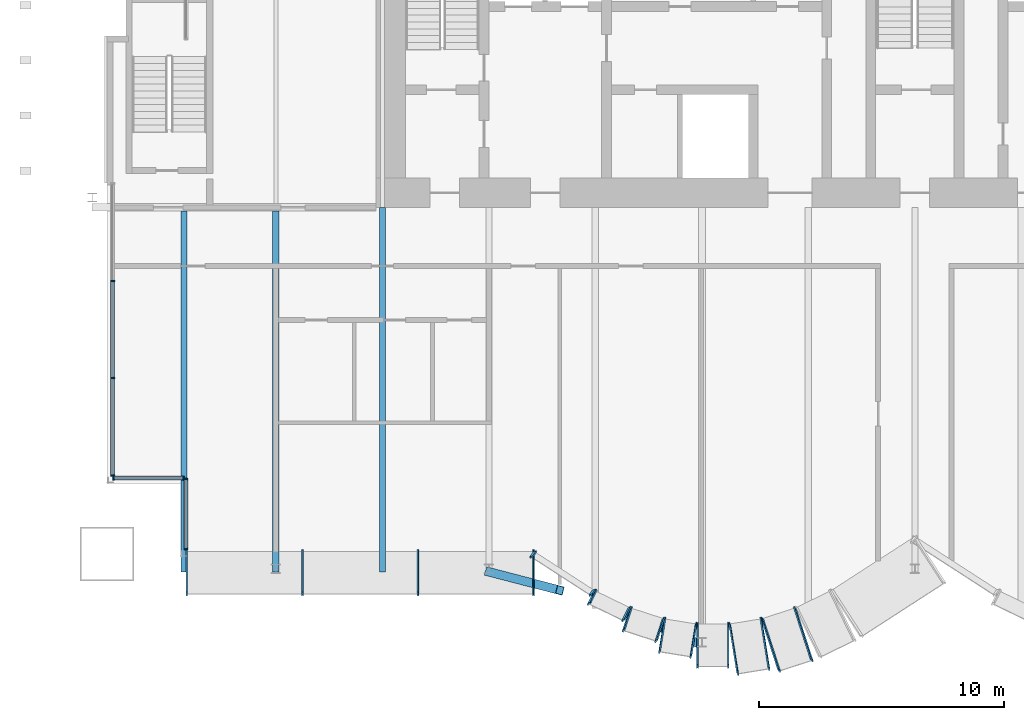
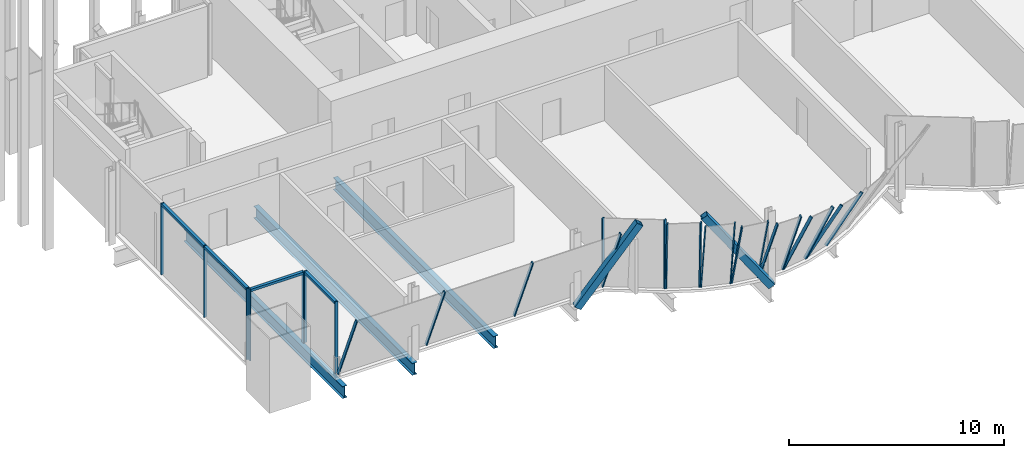
# One storey, part 5 of 28: 31 members, 3 beams, 11 elements without a shape of their own.
"""IFC4 building model written with IfcOpenShell, lengths in metres."""

from ifc_helpers import new_model, si_unit, direction, frame, origin, origin_2d, place, context, subcontext, project, spatial, rectangle, hollow_rectangle, i_section, extrude, material, material_profile, profile_set, type_object, element, aggregate, save


model = new_model("IFC4")

# Units and contexts
model_context = context("Model", 3, precision=1e-05, world=origin(), true_north=direction((0.0, 1.0)))
body_context = subcontext(model_context, "Body", "Model", "MODEL_VIEW")
ifc_project = project(units=[si_unit("LENGTHUNIT", "METRE"), si_unit("AREAUNIT", "SQUARE_METRE"), si_unit("VOLUMEUNIT", "CUBIC_METRE"), si_unit("PLANEANGLEUNIT", "RADIAN"), si_unit("MASSUNIT", "GRAM", prefix="KILO")], contexts=[model_context])

# Site, building, storey
site_placement = place(None, origin())
site = spatial("IfcSite", under=ifc_project, at=site_placement, CompositionType="ELEMENT")
building_placement = place(site_placement, origin())
building = spatial("IfcBuilding", under=site, at=building_placement, Name="Bicima Exchange Tower", CompositionType="ELEMENT")
storey_placement = place(building_placement, frame((0.0, 0.0, 241.39990234375)))
storey = spatial("IfcBuildingStorey", under=building, at=storey_placement, Name="L54", CompositionType="ELEMENT", Elevation=241.39990234375)

# Curtain wall, members
ifc_material_1 = material(Name="Anodised bronze aluminium", Category="aluminium")
curtain_wall_type_1 = type_object("IfcCurtainWallType", Name="End face glass wall", PredefinedType="NOTDEFINED", material=ifc_material_1)
curtain_wall_1_placement = place(storey_placement, origin())
curtain_wall_1 = element("IfcCurtainWall", 1, at=curtain_wall_1_placement, inside=storey, type_object=curtain_wall_type_1, Name="End face glass wall L54 run 6", PredefinedType="NOTDEFINED")
ifc_material_profile_1 = material_profile(ifc_material_1, rectangle(XDim=0.159912109375, YDim=0.06005859375, at=origin_2d()))
ifc_profile_set_1 = profile_set([ifc_material_profile_1], Name="Anodised bronze aluminium")
member_type_1 = type_object("IfcMemberType", Name="End face glass wall mullion 60 x 160", PredefinedType="MULLION", material=ifc_profile_set_1)
member_1_placement = place(storey_placement, frame((-32.77001953125, -16.002685546875, 0.0), z_axis=(0.0, 0.0, 1.0), x_axis=(1.0, 0.0, 0.0)))
member_1 = element("IfcMember", 2, at=member_1_placement, type_object=member_type_1, Name="End face glass wall mullion 2", PredefinedType="MULLION", context=body_context, shape_type="SweptSolid", body=[
    extrude(rectangle(XDim=0.159912109375, YDim=0.06005859375, at=origin_2d()), origin(), (0.0, 0.0, 1.0), 4.050048828125),
])
member_2_placement = place(storey_placement, frame((-32.77001953125, -19.975341796875, 0.0), z_axis=(0.0, 0.0, 1.0), x_axis=(1.0, 0.0, 0.0)))
member_2 = element("IfcMember", 3, at=member_2_placement, type_object=member_type_1, Name="End face glass wall mullion 3", PredefinedType="MULLION", context=body_context, shape_type="SweptSolid", body=[
    extrude(rectangle(XDim=0.159912109375, YDim=0.06005859375, at=origin_2d()), origin(), (0.0, 0.0, 1.0), 4.050048828125),
])
member_3_placement = place(storey_placement, frame((-32.77001953125, -23.947998046875, 0.0), z_axis=(0.0, 0.0, 1.0), x_axis=(1.0, 0.0, 0.0)))
member_3 = element("IfcMember", 4, at=member_3_placement, type_object=member_type_1, Name="End face glass wall mullion 4", PredefinedType="MULLION", context=body_context, shape_type="SweptSolid", body=[
    extrude(rectangle(XDim=0.159912109375, YDim=0.06005859375, at=origin_2d()), origin(), (0.0, 0.0, 1.0), 4.050048828125),
])
ifc_material_profile_2 = material_profile(ifc_material_1, rectangle(XDim=0.159912109375, YDim=0.139892578125, at=origin_2d()))
ifc_profile_set_2 = profile_set([ifc_material_profile_2], Name="Anodised bronze aluminium")
member_type_2 = type_object("IfcMemberType", Name="End face glass wall transom 140 x 160", PredefinedType="USERDEFINED", material=ifc_profile_set_2)
member_4_placement = place(storey_placement, frame((-32.77001953125, -16.03271484375, 3.97998046875), z_axis=(0.0, -1.0, 0.0), x_axis=(1.0, 0.0, 0.0)))
member_4 = element("IfcMember", 5, at=member_4_placement, type_object=member_type_2, Name="End face glass wall transom 2.1", ObjectType="TRANSOM", PredefinedType="USERDEFINED", context=body_context, shape_type="SweptSolid", body=[
    extrude(rectangle(XDim=0.159912109375, YDim=0.139892578125, at=origin_2d()), origin(), (0.0, 0.0, 1.0), 3.91259765625),
])
member_5_placement = place(storey_placement, frame((-32.77001953125, -20.00537109375, 3.97998046875), z_axis=(0.0, -1.0, 0.0), x_axis=(1.0, 0.0, 0.0)))
member_5 = element("IfcMember", 6, at=member_5_placement, type_object=member_type_2, Name="End face glass wall transom 3.1", ObjectType="TRANSOM", PredefinedType="USERDEFINED", context=body_context, shape_type="SweptSolid", body=[
    extrude(rectangle(XDim=0.159912109375, YDim=0.139892578125, at=origin_2d()), origin(), (0.0, 0.0, 1.0), 3.91259765625),
])
aggregate(curtain_wall_1, [member_1, member_2, member_3, member_4, member_5])

# Beams
ifc_material_2 = material(Name="Steel ASTM A992 Gr 50", Category="steel")
ifc_material_profile_3 = material_profile(ifc_material_2, i_section(OverallWidth=0.25390625, OverallDepth=0.67822265625, WebThickness=0.01171875, FlangeThickness=0.016357421875, at=origin_2d()))
ifc_profile_set_3 = profile_set([ifc_material_profile_3], Name="Steel ASTM A992 Gr 50")
beam_type = type_object("IfcBeamType", Name="Floor beam W27x84", PredefinedType="JOIST", material=ifc_profile_set_3)
for number, where, z_axis, x_axis, name in (
    (7, (-29.85009765625, -13.15234375, -0.489013671875), (0.0, -1.0, 0.0), (1.0, 0.0, 0.0), "Floor beam"),
    (8, (-26.10009765625, -13.15234375, -0.489013671875), (0.0, -1.0, 0.0), (1.0, 0.0, 0.0), "Floor beam"),
):
    element("IfcBeam", number, at=place(storey_placement, frame(where, z_axis=z_axis, x_axis=x_axis)), inside=storey, type_object=beam_type, Name=name, PredefinedType="JOIST", context=body_context, shape_type="SweptSolid", body=[
        extrude(i_section(OverallWidth=0.25390625, OverallDepth=0.67822265625, WebThickness=0.01171875, FlangeThickness=0.016357421875, at=origin_2d()), origin(), (0.0, 0.0, 1.0), 14.735595703125),
    ])
beam_placement = place(storey_placement, frame((-21.75, -13.0, -0.489013671875), z_axis=(0.0, -1.0, 0.0), x_axis=(1.0, 0.0, 0.0)))
element("IfcBeam", 9, at=beam_placement, inside=storey, type_object=beam_type, Name="Floor beam", PredefinedType="JOIST", context=body_context, shape_type="SweptSolid", body=[
    extrude(i_section(OverallWidth=0.25390625, OverallDepth=0.67822265625, WebThickness=0.01171875, FlangeThickness=0.016357421875, at=origin_2d()), origin(), (0.0, 0.0, 1.0), 14.887939453125),
])

# Curtain wall, members
curtain_wall_type_2 = type_object("IfcCurtainWallType", Name="Front glass wall", PredefinedType="NOTDEFINED", material=ifc_material_1)
curtain_wall_2_placement = place(storey_placement, origin())
curtain_wall_2 = element("IfcCurtainWall", 10, at=curtain_wall_2_placement, inside=storey, type_object=curtain_wall_type_2, Name="Front glass wall L54 run 7", PredefinedType="NOTDEFINED")
member_type_3 = type_object("IfcMemberType", Name="Front glass wall mullion 60 x 160", PredefinedType="MULLION", material=ifc_profile_set_1)
member_6_placement = place(storey_placement, frame((-32.739990234375, -24.05810546875, 0.0), z_axis=(0.0, 0.0, 1.0), x_axis=(0.0, 1.0, 0.0)))
member_6 = element("IfcMember", 11, at=member_6_placement, type_object=member_type_3, Name="Front glass wall mullion 1", PredefinedType="MULLION", context=body_context, shape_type="SweptSolid", body=[
    extrude(rectangle(XDim=0.159912109375, YDim=0.06005859375, at=origin_2d()), origin(), (0.0, 0.0, 1.0), 4.050048828125),
])
member_7_placement = place(storey_placement, frame((-29.8798828125, -24.05810546875, 0.0), z_axis=(0.0, 0.0, 1.0), x_axis=(0.0, 1.0, 0.0)))
member_7 = element("IfcMember", 12, at=member_7_placement, type_object=member_type_3, Name="Front glass wall mullion 2", PredefinedType="MULLION", context=body_context, shape_type="SweptSolid", body=[
    extrude(rectangle(XDim=0.159912109375, YDim=0.06005859375, at=origin_2d()), origin(), (0.0, 0.0, 1.0), 4.050048828125),
])

curtain_wall_3_placement = place(storey_placement, origin())
curtain_wall_3 = element("IfcCurtainWall", 13, at=curtain_wall_3_placement, inside=storey, type_object=curtain_wall_type_2, Name="Front glass wall L54 run 8", PredefinedType="NOTDEFINED")
member_8_placement = place(storey_placement, frame((-29.77001953125, -24.087890625, 0.0), z_axis=(0.0, 0.0, 1.0), x_axis=(1.0, 0.0, 0.0)))
member_8 = element("IfcMember", 14, at=member_8_placement, type_object=member_type_3, Name="Front glass wall mullion 1", PredefinedType="MULLION", context=body_context, shape_type="SweptSolid", body=[
    extrude(rectangle(XDim=0.159912109375, YDim=0.06005859375, at=origin_2d()), origin(), (0.0, 0.0, 1.0), 4.050048828125),
])
member_9_placement = place(storey_placement, frame((-29.77001953125, -26.947998046875, 0.0), z_axis=(0.0, 0.0, 1.0), x_axis=(1.0, 0.0, 0.0)))
member_9 = element("IfcMember", 15, at=member_9_placement, type_object=member_type_3, Name="Front glass wall mullion 2", PredefinedType="MULLION", context=body_context, shape_type="SweptSolid", body=[
    extrude(rectangle(XDim=0.159912109375, YDim=0.06005859375, at=origin_2d()), origin(), (0.0, 0.0, 1.0), 4.050048828125),
])

curtain_wall_4_placement = place(storey_placement, origin())
curtain_wall_4 = element("IfcCurtainWall", 16, at=curtain_wall_4_placement, inside=storey, type_object=curtain_wall_type_2, Name="Canted glass wall L54 35.1", PredefinedType="NOTDEFINED")
member_10_placement = place(storey_placement, frame((-29.739990234375, -27.05810546875, 0.0), z_axis=(0.0, -0.392533741736, 0.919737604754), x_axis=(0.0, 0.919737604754, 0.392533741736)))
member_10 = element("IfcMember", 17, at=member_10_placement, type_object=member_type_3, Name="Canted glass mullion 1", PredefinedType="MULLION", context=body_context, shape_type="SweptSolid", body=[
    extrude(rectangle(XDim=0.159912109375, YDim=0.06005859375, at=origin_2d()), origin(), (0.0, 0.0, 1.0), 4.403564453125),
])
member_11_placement = place(storey_placement, frame((-25.01904296875, -27.05810546875, 0.0), z_axis=(0.0, -0.392533741736, 0.919737604754), x_axis=(0.0, 0.919737604754, 0.392533741736)))
member_11 = element("IfcMember", 18, at=member_11_placement, type_object=member_type_3, Name="Canted glass mullion 2", PredefinedType="MULLION", context=body_context, shape_type="SweptSolid", body=[
    extrude(rectangle(XDim=0.159912109375, YDim=0.06005859375, at=origin_2d()), origin(), (0.0, 0.0, 1.0), 4.403564453125),
])
member_12_placement = place(storey_placement, frame((-20.2978515625, -27.05810546875, 0.0), z_axis=(0.0, -0.392533741736, 0.919737604754), x_axis=(0.0, 0.919737604754, 0.392533741736)))
member_12 = element("IfcMember", 19, at=member_12_placement, type_object=member_type_3, Name="Canted glass mullion 3", PredefinedType="MULLION", context=body_context, shape_type="SweptSolid", body=[
    extrude(rectangle(XDim=0.159912109375, YDim=0.06005859375, at=origin_2d()), origin(), (0.0, 0.0, 1.0), 4.403564453125),
])
member_13_placement = place(storey_placement, frame((-15.576904296875, -27.05810546875, 0.0), z_axis=(0.0, -0.392533741736, 0.919737604754), x_axis=(0.0, 0.919737604754, 0.392533741736)))
member_13 = element("IfcMember", 20, at=member_13_placement, type_object=member_type_3, Name="Canted glass mullion 4", PredefinedType="MULLION", context=body_context, shape_type="SweptSolid", body=[
    extrude(rectangle(XDim=0.159912109375, YDim=0.06005859375, at=origin_2d()), origin(), (0.0, 0.0, 1.0), 4.403564453125),
])
aggregate(curtain_wall_4, [member_10, member_11, member_12, member_13])

curtain_wall_5_placement = place(storey_placement, origin())
curtain_wall_5 = element("IfcCurtainWall", 21, at=curtain_wall_5_placement, inside=storey, type_object=curtain_wall_type_2, Name="Canted glass wall L54 36.1", PredefinedType="NOTDEFINED")
member_14_placement = place(storey_placement, frame((-15.521728515625, -27.07421875, 0.0), z_axis=(-0.032793111448, -0.050724023763, 0.99817417581), x_axis=(0.911029128233, 0.409210110192, 0.050724877797)))
member_14 = element("IfcMember", 22, at=member_14_placement, type_object=member_type_3, Name="Canted glass mullion 1", PredefinedType="MULLION", context=body_context, shape_type="SweptSolid", body=[
    extrude(rectangle(XDim=0.159912109375, YDim=0.06005859375, at=origin_2d()), origin(), (0.0, 0.0, 1.0), 4.057373046875),
])
member_15_placement = place(storey_placement, frame((-13.1044921875, -28.636962890625, 0.0), z_axis=(-0.032793111448, -0.050724023763, 0.99817417581), x_axis=(0.911029128233, 0.409210110192, 0.050724877797)))
member_15 = element("IfcMember", 23, at=member_15_placement, type_object=member_type_3, Name="Canted glass mullion 2", PredefinedType="MULLION", context=body_context, shape_type="SweptSolid", body=[
    extrude(rectangle(XDim=0.159912109375, YDim=0.06005859375, at=origin_2d()), origin(), (0.0, 0.0, 1.0), 4.057373046875),
])
aggregate(curtain_wall_5, [member_14, member_15])

curtain_wall_6_placement = place(storey_placement, origin())
curtain_wall_6 = element("IfcCurtainWall", 24, at=curtain_wall_6_placement, inside=storey, type_object=curtain_wall_type_2, Name="Canted glass wall L54 37.1", PredefinedType="NOTDEFINED")
member_16_placement = place(storey_placement, frame((-13.052490234375, -28.666259765625, 0.0), z_axis=(-0.062464073115, -0.128806049528, 0.989700581577), x_axis=(0.781121892488, 0.610946771676, 0.128812387816)))
member_16 = element("IfcMember", 25, at=member_16_placement, type_object=member_type_3, Name="Canted glass mullion 1", PredefinedType="MULLION", context=body_context, shape_type="SweptSolid", body=[
    extrude(rectangle(XDim=0.159912109375, YDim=0.06005859375, at=origin_2d()), origin(), (0.0, 0.0, 1.0), 4.09228515625),
])
member_17_placement = place(storey_placement, frame((-11.6533203125, -29.344482421875, 0.0), z_axis=(-0.06240416585, -0.128865199077, 0.989696660877), x_axis=(0.780780100025, 0.611378377527, 0.128836776182)))
member_17 = element("IfcMember", 26, at=member_17_placement, type_object=member_type_3, Name="Canted glass mullion 2", PredefinedType="MULLION", context=body_context, shape_type="SweptSolid", body=[
    extrude(rectangle(XDim=0.159912109375, YDim=0.06005859375, at=origin_2d()), origin(), (0.0, 0.0, 1.0), 4.09228515625),
])
aggregate(curtain_wall_6, [member_16, member_17])

curtain_wall_7_placement = place(storey_placement, origin())
curtain_wall_7 = element("IfcCurtainWall", 27, at=curtain_wall_7_placement, inside=storey, type_object=curtain_wall_type_2, Name="Canted glass wall L54 38.1", PredefinedType="NOTDEFINED")
member_18_placement = place(storey_placement, frame((-11.59765625, -29.366943359375, 0.0), z_axis=(-0.071027436504, -0.21970997287, 0.9729761719), x_axis=(0.577454051821, 0.786303855744, 0.219711320777)))
member_18 = element("IfcMember", 28, at=member_18_placement, type_object=member_type_3, Name="Canted glass mullion 1", PredefinedType="MULLION", context=body_context, shape_type="SweptSolid", body=[
    extrude(rectangle(XDim=0.159912109375, YDim=0.06005859375, at=origin_2d()), origin(), (0.0, 0.0, 1.0), 4.16259765625),
])
member_19_placement = place(storey_placement, frame((-10.269775390625, -29.796142578125, 0.0), z_axis=(-0.071027436504, -0.21970997287, 0.9729761719), x_axis=(0.577454051821, 0.786303855744, 0.219711320777)))
member_19 = element("IfcMember", 29, at=member_19_placement, type_object=member_type_3, Name="Canted glass mullion 2", PredefinedType="MULLION", context=body_context, shape_type="SweptSolid", body=[
    extrude(rectangle(XDim=0.159912109375, YDim=0.06005859375, at=origin_2d()), origin(), (0.0, 0.0, 1.0), 4.16259765625),
])
aggregate(curtain_wall_7, [member_18, member_19])

curtain_wall_8_placement = place(storey_placement, origin())
curtain_wall_8 = element("IfcCurtainWall", 30, at=curtain_wall_8_placement, inside=storey, type_object=curtain_wall_type_2, Name="Canted glass wall L54 39.1", PredefinedType="NOTDEFINED")
member_20_placement = place(storey_placement, frame((-10.211669921875, -29.810302734375, 0.0), z_axis=(-0.050489981009, -0.312546133855, 0.948559790435), x_axis=(0.306861912427, 0.898973662888, 0.312541389476)))
member_20 = element("IfcMember", 31, at=member_20_placement, type_object=member_type_3, Name="Canted glass mullion 1", PredefinedType="MULLION", context=body_context, shape_type="SweptSolid", body=[
    extrude(rectangle(XDim=0.159912109375, YDim=0.06005859375, at=origin_2d()), origin(), (0.0, 0.0, 1.0), 4.269775390625),
])
member_21_placement = place(storey_placement, frame((-8.93701171875, -30.01611328125, 0.0), z_axis=(-0.050489981009, -0.312546133855, 0.948559790435), x_axis=(0.306861912427, 0.898973662888, 0.312541389476)))
member_21 = element("IfcMember", 32, at=member_21_placement, type_object=member_type_3, Name="Canted glass mullion 2", PredefinedType="MULLION", context=body_context, shape_type="SweptSolid", body=[
    extrude(rectangle(XDim=0.159912109375, YDim=0.06005859375, at=origin_2d()), origin(), (0.0, 0.0, 1.0), 4.269775390625),
])
aggregate(curtain_wall_8, [member_20, member_21])

curtain_wall_9_placement = place(storey_placement, origin())
curtain_wall_9 = element("IfcCurtainWall", 33, at=curtain_wall_9_placement, inside=storey, type_object=curtain_wall_type_2, Name="Canted glass wall L54 40.1", PredefinedType="NOTDEFINED")
member_22_placement = place(storey_placement, frame((-8.87744140625, -30.02099609375, 0.0), z_axis=(0.0, -0.392580640073, 0.919717587654), x_axis=(0.0, 0.919717587654, 0.392580640073)))
member_22 = element("IfcMember", 34, at=member_22_placement, type_object=member_type_3, Name="Canted glass mullion 1", PredefinedType="MULLION", context=body_context, shape_type="SweptSolid", body=[
    extrude(rectangle(XDim=0.159912109375, YDim=0.06005859375, at=origin_2d()), origin(), (0.0, 0.0, 1.0), 4.403564453125),
])
member_23_placement = place(storey_placement, frame((-7.62255859375, -30.02099609375, 0.0), z_axis=(0.0, -0.392580640073, 0.919717587654), x_axis=(0.0, 0.919717587654, 0.392580640073)))
member_23 = element("IfcMember", 35, at=member_23_placement, type_object=member_type_3, Name="Canted glass mullion 2", PredefinedType="MULLION", context=body_context, shape_type="SweptSolid", body=[
    extrude(rectangle(XDim=0.159912109375, YDim=0.06005859375, at=origin_2d()), origin(), (0.0, 0.0, 1.0), 4.403564453125),
])
aggregate(curtain_wall_9, [member_22, member_23])

curtain_wall_10_placement = place(storey_placement, origin())
curtain_wall_10 = element("IfcCurtainWall", 36, at=curtain_wall_10_placement, inside=storey, type_object=curtain_wall_type_2, Name="Canted glass wall L54 41.1", PredefinedType="NOTDEFINED")
member_24_placement = place(storey_placement, frame((-7.56298828125, -30.01611328125, 0.0), z_axis=(0.072364828269, -0.44778087871, 0.891210197591), x_axis=(-0.297885428612, 0.843065020112, 0.447778565011)))
member_24 = element("IfcMember", 37, at=member_24_placement, type_object=member_type_3, Name="Canted glass mullion 1", PredefinedType="MULLION", context=body_context, shape_type="SweptSolid", body=[
    extrude(rectangle(XDim=0.159912109375, YDim=0.06005859375, at=origin_2d()), origin(), (0.0, 0.0, 1.0), 4.54443359375),
])
member_25_placement = place(storey_placement, frame((-6.288330078125, -29.810302734375, 0.0), z_axis=(0.072366569044, -0.447737926068, 0.891231636134), x_axis=(-0.297904737425, 0.843080283305, 0.44773698007)))
member_25 = element("IfcMember", 38, at=member_25_placement, type_object=member_type_3, Name="Canted glass mullion 2", PredefinedType="MULLION", context=body_context, shape_type="SweptSolid", body=[
    extrude(rectangle(XDim=0.159912109375, YDim=0.06005859375, at=origin_2d()), origin(), (0.0, 0.0, 1.0), 4.54443359375),
])
aggregate(curtain_wall_10, [member_24, member_25])

curtain_wall_11_placement = place(storey_placement, origin())
curtain_wall_11 = element("IfcCurtainWall", 39, at=curtain_wall_11_placement, inside=storey, type_object=curtain_wall_type_2, Name="Canted glass wall L54 42.1", PredefinedType="NOTDEFINED")
member_26_placement = place(storey_placement, frame((-6.230224609375, -29.796142578125, 0.0), z_axis=(0.149099429871, -0.461322493413, 0.874614724941), x_axis=(-0.548615163508, 0.697287662783, 0.461314770737)))
member_26 = element("IfcMember", 40, at=member_26_placement, type_object=member_type_3, Name="Canted glass mullion 1", PredefinedType="MULLION", context=body_context, shape_type="SweptSolid", body=[
    extrude(rectangle(XDim=0.159912109375, YDim=0.06005859375, at=origin_2d()), origin(), (0.0, 0.0, 1.0), 4.630615234375),
])
member_27_placement = place(storey_placement, frame((-4.90234375, -29.366943359375, 0.0), z_axis=(0.149103056209, -0.461280989664, 0.874635996975), x_axis=(-0.548644710898, 0.697288572408, 0.461278254411)))
member_27 = element("IfcMember", 41, at=member_27_placement, type_object=member_type_3, Name="Canted glass mullion 2", PredefinedType="MULLION", context=body_context, shape_type="SweptSolid", body=[
    extrude(rectangle(XDim=0.159912109375, YDim=0.06005859375, at=origin_2d()), origin(), (0.0, 0.0, 1.0), 4.630615234375),
])
aggregate(curtain_wall_11, [member_26, member_27])

# Member
member_type_4 = type_object("IfcMemberType", Name="Front glass wall transom 140 x 160", PredefinedType="USERDEFINED", material=ifc_profile_set_2)
member_28_placement = place(storey_placement, frame((-32.7099609375, -24.05810546875, 3.97998046875), z_axis=(1.0, 0.0, 0.0), x_axis=(0.0, 1.0, 0.0)))
member_28 = element("IfcMember", 42, at=member_28_placement, type_object=member_type_4, Name="Front glass wall transom 1.1", ObjectType="TRANSOM", PredefinedType="USERDEFINED", context=body_context, shape_type="SweptSolid", body=[
    extrude(rectangle(XDim=0.159912109375, YDim=0.139892578125, at=origin_2d()), origin(), (0.0, 0.0, 1.0), 2.800048828125),
])

aggregate(curtain_wall_2, [member_6, member_7, member_28])

member_29_placement = place(storey_placement, frame((-29.77001953125, -24.117919921875, 3.97998046875), z_axis=(0.0, -1.0, 0.0), x_axis=(1.0, 0.0, 0.0)))
member_29 = element("IfcMember", 43, at=member_29_placement, type_object=member_type_4, Name="Front glass wall transom 1.1", ObjectType="TRANSOM", PredefinedType="USERDEFINED", context=body_context, shape_type="SweptSolid", body=[
    extrude(rectangle(XDim=0.159912109375, YDim=0.139892578125, at=origin_2d()), origin(), (0.0, 0.0, 1.0), 2.800048828125),
])

aggregate(curtain_wall_3, [member_8, member_9, member_29])

# Members
ifc_material_3 = material(Name="Steel ASTM A572 Gr 50", Category="steel")
ifc_material_profile_4 = material_profile(ifc_material_3, hollow_rectangle(XDim=0.355712890625, YDim=0.355712890625, WallThickness=0.0146484375, at=origin_2d()))
ifc_profile_set_4 = profile_set([ifc_material_profile_4], Name="Steel ASTM A572 Gr 50")
member_type_5 = type_object("IfcMemberType", Name="Mega brace HSS14x14x5/8", PredefinedType="BRACE", material=ifc_profile_set_4)
member_30_placement = place(storey_placement, frame((-17.39990234375, -27.887939453125, 0.0), z_axis=(0.562073160044, -0.145983810299, 0.814102260093), x_axis=(0.251383493766, 0.9678875653, 0.0)))
element("IfcMember", 44, at=member_30_placement, inside=storey, type_object=member_type_5, Name="Mega brace front", PredefinedType="BRACE", context=body_context, shape_type="SweptSolid", body=[
    extrude(hollow_rectangle(XDim=0.355712890625, YDim=0.355712890625, WallThickness=0.0146484375, at=origin_2d()), origin(), (0.0, 0.0, 1.0), 5.1591796875),
])
member_31_placement = place(storey_placement, frame((-8.699951171875, -30.879150390625, 0.0), z_axis=(-0.552102517145, 0.236290024174, 0.799593543645), x_axis=(-0.393461568723, -0.919341065078, 0.0)))
element("IfcMember", 45, at=member_31_placement, inside=storey, type_object=member_type_5, Name="Mega brace front", PredefinedType="BRACE", context=body_context, shape_type="SweptSolid", body=[
    extrude(hollow_rectangle(XDim=0.355712890625, YDim=0.355712890625, WallThickness=0.0146484375, at=origin_2d()), origin(), (0.0, 0.0, 1.0), 5.2529296875),
])

save(model, "model.ifc")
